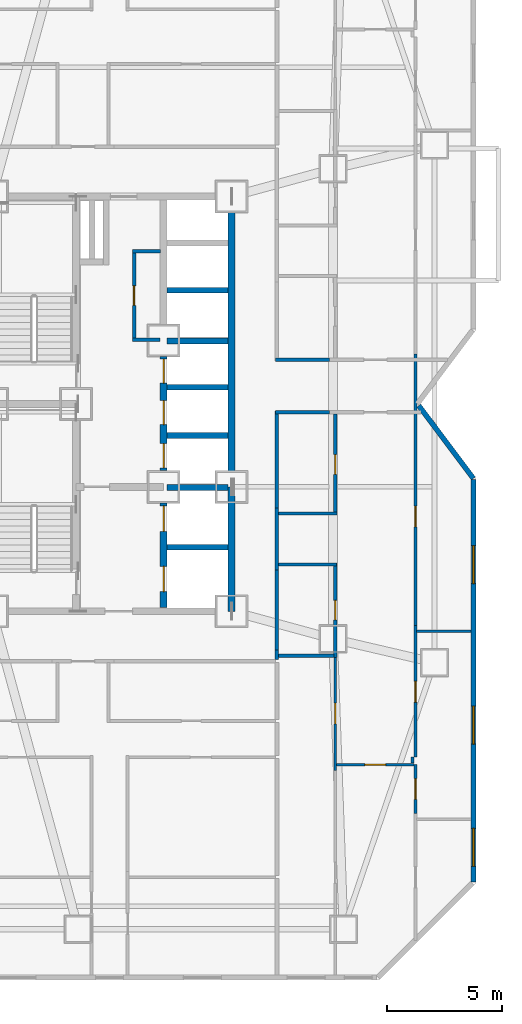
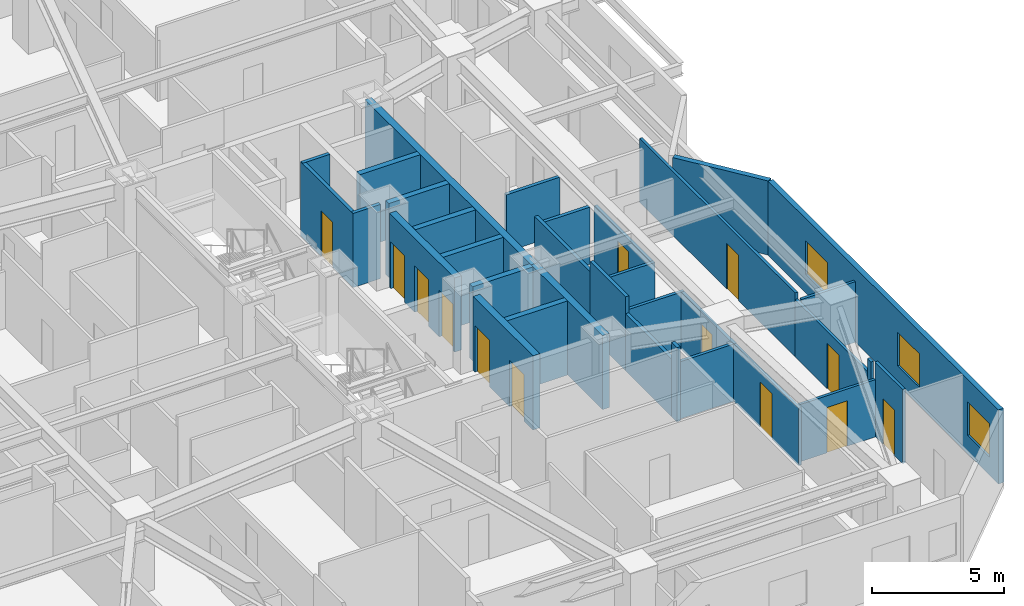
# One storey, part 10 of 14: 33 walls, 13 doors, 3 windows, 16 openings.
"""IFC4 building model written with IfcOpenShell, lengths in metres."""

from ifc_helpers import new_model, si_unit, direction, frame, frame_2d, origin, place, context, subcontext, project, spatial, rectangle, extrude, material, layer, layer_set, type_object, element, fill, save


model = new_model("IFC4")

# Units and contexts
model_context = context("Model", 3, precision=1e-05, world=origin(), true_north=direction((0.0, 1.0)))
body_context = subcontext(model_context, "Body", "Model", "MODEL_VIEW")
ifc_project = project(units=[si_unit("LENGTHUNIT", "METRE"), si_unit("AREAUNIT", "SQUARE_METRE"), si_unit("VOLUMEUNIT", "CUBIC_METRE"), si_unit("PLANEANGLEUNIT", "RADIAN"), si_unit("MASSUNIT", "GRAM", prefix="KILO")], contexts=[model_context])

# Site, building, storey
site_placement = place(None, origin())
site = spatial("IfcSite", under=ifc_project, at=site_placement, CompositionType="ELEMENT")
building_placement = place(site_placement, origin())
building = spatial("IfcBuilding", under=site, at=building_placement, Name="Khamvora Tower", CompositionType="ELEMENT")
storey_placement = place(building_placement, frame((0.0, 0.0, 40.60009765625)))
storey = spatial("IfcBuildingStorey", under=building, at=storey_placement, Name="L09", CompositionType="ELEMENT", Elevation=40.60009765625)

# Walls
ifc_material_1 = material(Name="Concrete C50/60", Category="concrete")
ifc_layer_1 = layer(ifc_material_1, 0.300048828125)
ifc_layer_set_1 = layer_set([ifc_layer_1], Name="Concrete C50/60")
wall_type_1 = type_object("IfcWallType", Name="WAL-CORE-300", PredefinedType="SHEAR", material=ifc_layer_set_1)
wall_1_placement = place(storey_placement, frame((39.39990234375, 19.0, 0.0), z_axis=(0.0, 0.0, 1.0), x_axis=(0.0, 1.0, 0.0)))
element("IfcWall", 1, at=wall_1_placement, inside=storey, type_object=wall_type_1, Name="L09 central core east south wall", PredefinedType="SHEAR", context=body_context, shape_type="SweptSolid", body=[
    extrude(rectangle(XDim=5.39990234375, YDim=0.300048828125, at=frame_2d((2.699951171875, 0.0))), origin(), (0.0, 0.0, 1.0), 3.429931640625),
])
wall_2_placement = place(storey_placement, frame((39.39990234375, 24.39990234375, 0.0), z_axis=(0.0, 0.0, 1.0), x_axis=(0.0, 1.0, 0.0)))
element("IfcWall", 2, at=wall_2_placement, inside=storey, type_object=wall_type_1, Name="L09 central core east north wall", PredefinedType="SHEAR", context=body_context, shape_type="SweptSolid", body=[
    extrude(rectangle(XDim=12.60009765625, YDim=0.300048828125, at=frame_2d((6.300048828125, 0.0))), origin(), (0.0, 0.0, 1.0), 3.429931640625),
])

# Wall, openings, doors
wall_3_placement = place(storey_placement, frame((36.449951171875, 19.154052734375, 0.0), z_axis=(0.0, 0.0, 1.0), x_axis=(0.0, 1.0, 0.0)))
wall_3 = element("IfcWall", 3, at=wall_3_placement, inside=storey, type_object=wall_type_1, Name="L09 central core lift bank south wall", PredefinedType="SHEAR", context=body_context, shape_type="SweptSolid", body=[
    extrude(rectangle(XDim=4.5458984375, YDim=0.300048828125, at=frame_2d((2.27294921875, 0.0))), origin(), (0.0, 0.0, 1.0), 3.429931640625),
])
opening_1_placement = place(wall_3_placement, frame((0.696044921875, 0.0, 0.0)))
opening_1 = element("IfcOpeningElement", 4, at=opening_1_placement, cuts=wall_3, Name="Opening LD-FFL", PredefinedType="OPENING", context=body_context, shape_type="SweptSolid", body=[
    extrude(rectangle(XDim=1.10009765625, YDim=2.14990234375, at=frame_2d((0.550048828125, 1.074951171875))), frame((0.0, 0.159912109375, 0.0), z_axis=(0.0, -1.0, 0.0), x_axis=(1.0, 0.0, 0.0)), (0.0, 0.0, 1.0), 0.320068359375),
])
opening_2_placement = place(wall_3_placement, frame((3.31591796875, 0.0, 0.0)))
opening_2 = element("IfcOpeningElement", 5, at=opening_2_placement, cuts=wall_3, Name="Opening LD-FFL", PredefinedType="OPENING", context=body_context, shape_type="SweptSolid", body=[
    extrude(rectangle(XDim=1.10009765625, YDim=2.14990234375, at=frame_2d((0.550048828125, 1.074951171875))), frame((0.0, 0.159912109375, 0.0), z_axis=(0.0, -1.0, 0.0), x_axis=(1.0, 0.0, 0.0)), (0.0, 0.0, 1.0), 0.320068359375),
])
ifc_material_2 = material(Name="Powder-Coated Steel and Hardwood Leaf", Category="steel")
door_type_1 = type_object("IfcDoorType", Name="DOR-LIFT-1100", OperationType="SLIDING_TO_LEFT", PredefinedType="DOOR", material=ifc_material_2)
door_1_placement = place(opening_1_placement, origin())
door_1 = element("IfcDoor", 6, at=door_1_placement, inside=storey, type_object=door_type_1, Name="L09 lift landing sliding door FFL-01", OperationType="SLIDING_TO_LEFT", OverallHeight=2.14990234375, OverallWidth=1.10009765625, PredefinedType="DOOR", context=body_context, shape_type="SweptSolid", body=[
    extrude(rectangle(XDim=1.10009765625, YDim=2.14990234375, at=frame_2d((0.550048828125, 1.074951171875))), frame((0.0, 0.02490234375, 0.0), z_axis=(0.0, -1.0, 0.0), x_axis=(1.0, 0.0, 0.0)), (0.0, 0.0, 1.0), 0.050048828125),
])
fill(opening_1, door_1)
door_2_placement = place(opening_2_placement, origin())
door_2 = element("IfcDoor", 7, at=door_2_placement, inside=storey, type_object=door_type_1, Name="L09 lift landing sliding door FFL-02", OperationType="SLIDING_TO_LEFT", OverallHeight=2.14990234375, OverallWidth=1.10009765625, PredefinedType="DOOR", context=body_context, shape_type="SweptSolid", body=[
    extrude(rectangle(XDim=1.10009765625, YDim=2.14990234375, at=frame_2d((0.550048828125, 1.074951171875))), frame((0.0, 0.02490234375, 0.0), z_axis=(0.0, -1.0, 0.0), x_axis=(1.0, 0.0, 0.0)), (0.0, 0.0, 1.0), 0.050048828125),
])
fill(opening_2, door_2)

wall_4_placement = place(storey_placement, frame((36.449951171875, 25.10009765625, 0.0), z_axis=(0.0, 0.0, 1.0), x_axis=(0.0, 1.0, 0.0)))
wall_4 = element("IfcWall", 8, at=wall_4_placement, inside=storey, type_object=wall_type_1, Name="L09 central core lift bank central wall", PredefinedType="SHEAR", context=body_context, shape_type="SweptSolid", body=[
    extrude(rectangle(XDim=4.949951171875, YDim=0.300048828125, at=frame_2d((2.47509765625, 0.0))), origin(), (0.0, 0.0, 1.0), 3.429931640625),
])
opening_3_placement = place(wall_4_placement, frame((0.1201171875, 0.0, 0.0)))
opening_3 = element("IfcOpeningElement", 9, at=opening_3_placement, cuts=wall_4, Name="Opening LD-PL", PredefinedType="OPENING", context=body_context, shape_type="SweptSolid", body=[
    extrude(rectangle(XDim=1.050048828125, YDim=2.14990234375, at=frame_2d((0.52490234375, 1.074951171875))), frame((0.0, 0.159912109375, 0.0), z_axis=(0.0, -1.0, 0.0), x_axis=(1.0, 0.0, 0.0)), (0.0, 0.0, 1.0), 0.320068359375),
])
opening_4_placement = place(wall_4_placement, frame((1.9951171875, 0.0, 0.0)))
opening_4 = element("IfcOpeningElement", 10, at=opening_4_placement, cuts=wall_4, Name="Opening LD-PL", PredefinedType="OPENING", context=body_context, shape_type="SweptSolid", body=[
    extrude(rectangle(XDim=1.050048828125, YDim=2.14990234375, at=frame_2d((0.52490234375, 1.074951171875))), frame((0.0, 0.159912109375, 0.0), z_axis=(0.0, -1.0, 0.0), x_axis=(1.0, 0.0, 0.0)), (0.0, 0.0, 1.0), 0.320068359375),
])
opening_5_placement = place(wall_4_placement, frame((3.794921875, 0.0, 0.0)))
opening_5 = element("IfcOpeningElement", 11, at=opening_5_placement, cuts=wall_4, Name="Opening LD-PL", PredefinedType="OPENING", context=body_context, shape_type="SweptSolid", body=[
    extrude(rectangle(XDim=1.050048828125, YDim=2.14990234375, at=frame_2d((0.52490234375, 1.074951171875))), frame((0.0, 0.159912109375, 0.0), z_axis=(0.0, -1.0, 0.0), x_axis=(1.0, 0.0, 0.0)), (0.0, 0.0, 1.0), 0.320068359375),
])
door_type_2 = type_object("IfcDoorType", Name="DOR-LIFT-1050", OperationType="SLIDING_TO_LEFT", PredefinedType="DOOR", material=ifc_material_2)
door_3_placement = place(opening_3_placement, origin())
door_3 = element("IfcDoor", 12, at=door_3_placement, inside=storey, type_object=door_type_2, Name="L09 lift landing sliding door PL-01", OperationType="SLIDING_TO_LEFT", OverallHeight=2.14990234375, OverallWidth=1.050048828125, PredefinedType="DOOR", context=body_context, shape_type="SweptSolid", body=[
    extrude(rectangle(XDim=1.050048828125, YDim=2.14990234375, at=frame_2d((0.52490234375, 1.074951171875))), frame((0.0, 0.02490234375, 0.0), z_axis=(0.0, -1.0, 0.0), x_axis=(1.0, 0.0, 0.0)), (0.0, 0.0, 1.0), 0.050048828125),
])
fill(opening_3, door_3)
door_4_placement = place(opening_4_placement, origin())
door_4 = element("IfcDoor", 13, at=door_4_placement, inside=storey, type_object=door_type_2, Name="L09 lift landing sliding door PL-02", OperationType="SLIDING_TO_LEFT", OverallHeight=2.14990234375, OverallWidth=1.050048828125, PredefinedType="DOOR", context=body_context, shape_type="SweptSolid", body=[
    extrude(rectangle(XDim=1.050048828125, YDim=2.14990234375, at=frame_2d((0.52490234375, 1.074951171875))), frame((0.0, 0.02490234375, 0.0), z_axis=(0.0, -1.0, 0.0), x_axis=(1.0, 0.0, 0.0)), (0.0, 0.0, 1.0), 0.050048828125),
])
fill(opening_4, door_4)
door_5_placement = place(opening_5_placement, origin())
door_5 = element("IfcDoor", 14, at=door_5_placement, inside=storey, type_object=door_type_2, Name="L09 lift landing sliding door PL-03", OperationType="SLIDING_TO_LEFT", OverallHeight=2.14990234375, OverallWidth=1.050048828125, PredefinedType="DOOR", context=body_context, shape_type="SweptSolid", body=[
    extrude(rectangle(XDim=1.050048828125, YDim=2.14990234375, at=frame_2d((0.52490234375, 1.074951171875))), frame((0.0, 0.02490234375, 0.0), z_axis=(0.0, -1.0, 0.0), x_axis=(1.0, 0.0, 0.0)), (0.0, 0.0, 1.0), 0.050048828125),
])
fill(opening_5, door_5)

# Wall
ifc_material_3 = material(Name="Fire-Rated Drywall and Steel Stud", Category="steel")
ifc_layer_2 = layer(ifc_material_3, 0.14990234375)
ifc_layer_set_2 = layer_set([ifc_layer_2], Name="Fire-Rated Drywall and Steel Stud")
wall_type_2 = type_object("IfcWallType", Name="WAL-CORR-150", PredefinedType="STANDARD", material=ifc_layer_set_2)
wall_5_placement = place(storey_placement, frame((36.305908203125, 34.614990234375, 0.0), z_axis=(0.0, 0.0, 1.0), x_axis=(-1.0, 0.0, 0.0)))
element("IfcWall", 15, at=wall_5_placement, inside=storey, type_object=wall_type_2, Name="L09 interior partition wall 001", PredefinedType="STANDARD", context=body_context, shape_type="SweptSolid", body=[
    extrude(rectangle(XDim=1.205810546875, YDim=0.14990234375, at=frame_2d((0.60302734375, 0.0))), origin(), (0.0, 0.0, 1.0), 3.429931640625),
])

# Wall, opening, door
wall_6_placement = place(storey_placement, frame((35.1650390625, 34.677978515625, 0.0), z_axis=(0.0, 0.0, 1.0), x_axis=(0.0, -1.0, 0.0)))
wall_6 = element("IfcWall", 16, at=wall_6_placement, inside=storey, type_object=wall_type_2, Name="L09 interior partition wall 002", PredefinedType="STANDARD", context=body_context, shape_type="SweptSolid", body=[
    extrude(rectangle(XDim=3.9580078125, YDim=0.14990234375, at=frame_2d((1.97900390625, 0.0))), origin(), (0.0, 0.0, 1.0), 3.429931640625),
])
opening_6_placement = place(wall_6_placement, frame((1.553955078125, 0.0, 0.0)))
opening_6 = element("IfcOpeningElement", 17, at=opening_6_placement, cuts=wall_6, Name="Opening D-WC1", PredefinedType="OPENING", context=body_context, shape_type="SweptSolid", body=[
    extrude(rectangle(XDim=0.85009765625, YDim=2.10009765625, at=frame_2d((0.425048828125, 1.050048828125))), frame((0.0, 0.0849609375, 0.0), z_axis=(0.0, -1.0, 0.0), x_axis=(1.0, 0.0, 0.0)), (0.0, 0.0, 1.0), 0.169921875),
])
door_type_3 = type_object("IfcDoorType", Name="DOR-WET-850", OperationType="NOTDEFINED", PredefinedType="DOOR", material=ifc_material_2)
door_6_placement = place(opening_6_placement, origin())
door_6 = element("IfcDoor", 18, at=door_6_placement, inside=storey, type_object=door_type_3, Name="L09 interior door PLL-CS1", OperationType="SINGLE_SWING_LEFT", OverallHeight=2.10009765625, OverallWidth=0.85009765625, PredefinedType="DOOR", context=body_context, shape_type="SweptSolid", body=[
    extrude(rectangle(XDim=0.85009765625, YDim=2.10009765625, at=frame_2d((0.425048828125, 1.050048828125))), frame((0.0, 0.02490234375, 0.0), z_axis=(0.0, -1.0, 0.0), x_axis=(1.0, 0.0, 0.0)), (0.0, 0.0, 1.0), 0.050048828125),
])
fill(opening_6, door_6)

# Walls
wall_7_placement = place(storey_placement, frame((35.10205078125, 30.784912109375, 0.0), z_axis=(0.0, 0.0, 1.0), x_axis=(1.0, 0.0, 0.0)))
element("IfcWall", 19, at=wall_7_placement, inside=storey, type_object=wall_type_2, Name="L09 interior partition wall 003", PredefinedType="STANDARD", context=body_context, shape_type="SweptSolid", body=[
    extrude(rectangle(XDim=1.197998046875, YDim=0.14990234375, at=frame_2d((0.59912109375, 0.0))), origin(), (0.0, 0.0, 1.0), 3.429931640625),
])
wall_8_placement = place(storey_placement, frame((41.364990234375, 17.318115234375, 0.0), z_axis=(0.0, 0.0, 1.0), x_axis=(0.0, -1.0, 0.0)))
element("IfcWall", 20, at=wall_8_placement, inside=storey, type_object=wall_type_2, Name="L09 interior partition wall 028", PredefinedType="STANDARD", context=body_context, shape_type="SweptSolid", body=[
    extrude(rectangle(XDim=0.418212890625, YDim=0.14990234375, at=frame_2d((0.208984375, 0.0))), origin(), (0.0, 0.0, 1.0), 3.429931640625),
])
wall_9_placement = place(storey_placement, frame((41.364990234375, 23.48291015625, 0.0), z_axis=(0.0, 0.0, 1.0), x_axis=(0.0, -1.0, 0.0)))
element("IfcWall", 21, at=wall_9_placement, inside=storey, type_object=wall_type_2, Name="L09 interior partition wall 030", PredefinedType="STANDARD", context=body_context, shape_type="SweptSolid", body=[
    extrude(rectangle(XDim=2.697998046875, YDim=0.14990234375, at=frame_2d((1.34912109375, 0.0))), origin(), (0.0, 0.0, 1.0), 3.429931640625),
])
wall_10_placement = place(storey_placement, frame((41.364990234375, 20.784912109375, 0.0), z_axis=(0.0, 0.0, 1.0), x_axis=(0.0, -1.0, 0.0)))
element("IfcWall", 22, at=wall_10_placement, inside=storey, type_object=wall_type_2, Name="L09 interior partition wall 031", PredefinedType="STANDARD", context=body_context, shape_type="SweptSolid", body=[
    extrude(rectangle(XDim=3.466796875, YDim=0.14990234375, at=frame_2d((1.7333984375, 0.0))), origin(), (0.0, 0.0, 1.0), 2.64697265625),
])
wall_11_placement = place(storey_placement, frame((43.64599609375, 27.635009765625, 0.0), z_axis=(0.0, 0.0, 1.0), x_axis=(-1.0, 0.0, 0.0)))
element("IfcWall", 23, at=wall_11_placement, inside=storey, type_object=wall_type_2, Name="L09 interior partition wall 032", PredefinedType="STANDARD", context=body_context, shape_type="SweptSolid", body=[
    extrude(rectangle(XDim=2.345947265625, YDim=0.14990234375, at=frame_2d((1.1728515625, 0.0))), origin(), (0.0, 0.0, 1.0), 2.64697265625),
])
wall_12_placement = place(storey_placement, frame((41.364990234375, 27.697998046875, 0.0), z_axis=(0.0, 0.0, 1.0), x_axis=(0.0, -1.0, 0.0)))
element("IfcWall", 24, at=wall_12_placement, inside=storey, type_object=wall_type_2, Name="L09 interior partition wall 033", PredefinedType="STANDARD", context=body_context, shape_type="SweptSolid", body=[
    extrude(rectangle(XDim=4.215087890625, YDim=0.14990234375, at=frame_2d((2.107421875, 0.0))), origin(), (0.0, 0.0, 1.0), 2.956787109375),
])
wall_13_placement = place(storey_placement, frame((41.300048828125, 29.9150390625, 0.0), z_axis=(0.0, 0.0, 1.0), x_axis=(1.0, 0.0, 0.0)))
element("IfcWall", 25, at=wall_13_placement, inside=storey, type_object=wall_type_2, Name="L09 interior partition wall 037", PredefinedType="STANDARD", context=body_context, shape_type="SweptSolid", body=[
    extrude(rectangle(XDim=2.345947265625, YDim=0.14990234375, at=frame_2d((1.1728515625, 0.0))), origin(), (0.0, 0.0, 1.0), 2.64697265625),
])
ifc_material_4 = material(Name="Precast concrete C40/50", Category="concrete")
ifc_layer_3 = layer(ifc_material_4, 0.219970703125)
ifc_layer_set_3 = layer_set([ifc_layer_3], Name="Precast concrete C40/50")
wall_type_3 = type_object("IfcWallType", Name="WAL-EXT-220", PredefinedType="STANDARD", material=ifc_layer_set_3)
wall_14_placement = place(storey_placement, frame((47.51904296875, 27.923095703125, 0.0), z_axis=(0.0, 0.0, 1.0), x_axis=(0.600118645218, -0.799911002338, 0.0)))
element("IfcWall", 26, at=wall_14_placement, inside=storey, type_object=wall_type_3, Name="L09 exterior facade wall 11.1", PredefinedType="STANDARD", context=body_context, shape_type="SweptSolid", body=[
    extrude(rectangle(XDim=3.95068359375, YDim=0.219970703125, at=frame_2d((1.975341796875, 0.0))), origin(), (0.0, 0.0, 1.0), 3.429931640625),
])

# Wall, openings, windows
wall_15_placement = place(storey_placement, frame((49.889892578125, 24.70703125, 0.0), z_axis=(0.0, 0.0, 1.0), x_axis=(0.0, -1.0, 0.0)))
wall_15 = element("IfcWall", 27, at=wall_15_placement, inside=storey, type_object=wall_type_3, Name="L09 exterior facade wall 12.1", PredefinedType="STANDARD", context=body_context, shape_type="SweptSolid", body=[
    extrude(rectangle(XDim=17.4609375, YDim=0.219970703125, at=frame_2d((8.73046875, 0.0))), origin(), (0.0, 0.0, 1.0), 3.429931640625),
])
opening_7_placement = place(wall_15_placement, frame((15.126953125, 0.0, 0.85009765625)))
opening_7 = element("IfcOpeningElement", 28, at=opening_7_placement, cuts=wall_15, Name="Opening WN-06", PredefinedType="OPENING", context=body_context, shape_type="SweptSolid", body=[
    extrude(rectangle(XDim=1.64990234375, YDim=1.550048828125, at=frame_2d((0.824951171875, 0.77490234375))), frame((0.0, 0.119873046875, 0.0), z_axis=(0.0, -1.0, 0.0), x_axis=(1.0, 0.0, 0.0)), (0.0, 0.0, 1.0), 0.239990234375),
])
opening_8_placement = place(wall_15_placement, frame((9.825927734375, 0.0, 0.85009765625)))
opening_8 = element("IfcOpeningElement", 29, at=opening_8_placement, cuts=wall_15, Name="Opening WN-06", PredefinedType="OPENING", context=body_context, shape_type="SweptSolid", body=[
    extrude(rectangle(XDim=1.64990234375, YDim=1.550048828125, at=frame_2d((0.824951171875, 0.77490234375))), frame((0.0, 0.119873046875, 0.0), z_axis=(0.0, -1.0, 0.0), x_axis=(1.0, 0.0, 0.0)), (0.0, 0.0, 1.0), 0.239990234375),
])
opening_9_placement = place(wall_15_placement, frame((2.85498046875, 0.0, 0.85009765625)))
opening_9 = element("IfcOpeningElement", 30, at=opening_9_placement, cuts=wall_15, Name="Opening WN-06", PredefinedType="OPENING", context=body_context, shape_type="SweptSolid", body=[
    extrude(rectangle(XDim=1.64990234375, YDim=1.550048828125, at=frame_2d((0.824951171875, 0.77490234375))), frame((0.0, 0.119873046875, 0.0), z_axis=(0.0, -1.0, 0.0), x_axis=(1.0, 0.0, 0.0)), (0.0, 0.0, 1.0), 0.239990234375),
])
ifc_material_5 = material(Name="Low-E Laminated Double Glazing", Category="glass")
window_type = type_object("IfcWindowType", Name="WIN-VIS-1650x1550", PartitioningType="SINGLE_PANEL", PredefinedType="WINDOW", material=ifc_material_5)
window_1_placement = place(opening_7_placement, origin())
window_1 = element("IfcWindow", 31, at=window_1_placement, inside=storey, type_object=window_type, Name="L09 vision window 12.1.01", OverallHeight=1.550048828125, OverallWidth=1.64990234375, PartitioningType="SINGLE_PANEL", PredefinedType="WINDOW", context=body_context, shape_type="SweptSolid", body=[
    extrude(rectangle(XDim=1.64990234375, YDim=1.550048828125, at=frame_2d((0.824951171875, 0.77490234375))), frame((0.0, 0.030029296875, 0.0), z_axis=(0.0, -1.0, 0.0), x_axis=(1.0, 0.0, 0.0)), (0.0, 0.0, 1.0), 0.06005859375),
])
fill(opening_7, window_1)
window_2_placement = place(opening_8_placement, origin())
window_2 = element("IfcWindow", 32, at=window_2_placement, inside=storey, type_object=window_type, Name="L09 vision window 12.1.02", OverallHeight=1.550048828125, OverallWidth=1.64990234375, PartitioningType="SINGLE_PANEL", PredefinedType="WINDOW", context=body_context, shape_type="SweptSolid", body=[
    extrude(rectangle(XDim=1.64990234375, YDim=1.550048828125, at=frame_2d((0.824951171875, 0.77490234375))), frame((0.0, 0.030029296875, 0.0), z_axis=(0.0, -1.0, 0.0), x_axis=(1.0, 0.0, 0.0)), (0.0, 0.0, 1.0), 0.06005859375),
])
fill(opening_8, window_2)
window_3_placement = place(opening_9_placement, origin())
window_3 = element("IfcWindow", 33, at=window_3_placement, inside=storey, type_object=window_type, Name="L09 vision window 12.1.03", OverallHeight=1.550048828125, OverallWidth=1.64990234375, PartitioningType="SINGLE_PANEL", PredefinedType="WINDOW", context=body_context, shape_type="SweptSolid", body=[
    extrude(rectangle(XDim=1.64990234375, YDim=1.550048828125, at=frame_2d((0.824951171875, 0.77490234375))), frame((0.0, 0.030029296875, 0.0), z_axis=(0.0, -1.0, 0.0), x_axis=(1.0, 0.0, 0.0)), (0.0, 0.0, 1.0), 0.06005859375),
])
fill(opening_9, window_3)

# Wall, opening, door
ifc_material_6 = material(Name="Gypsum Plasterboard Partition", Category="gypsum")
ifc_layer_4 = layer(ifc_material_6, 0.1201171875)
ifc_layer_set_4 = layer_set([ifc_layer_4], Name="Gypsum Plasterboard Partition")
wall_type_4 = type_object("IfcWallType", Name="WAL-PART-120", PredefinedType="PARTITIONING", material=ifc_layer_set_4)
wall_16_placement = place(storey_placement, frame((43.89501953125, 17.00390625, 0.0), z_axis=(0.0, 0.0, 1.0), x_axis=(0.0, -1.0, 0.0)))
wall_16 = element("IfcWall", 34, at=wall_16_placement, inside=storey, type_object=wall_type_4, Name="L09 interior partition wall 134", PredefinedType="PARTITIONING", context=body_context, shape_type="SweptSolid", body=[
    extrude(rectangle(XDim=4.912841796875, YDim=0.1201171875, at=frame_2d((2.45654296875, 0.0))), origin(), (0.0, 0.0, 1.0), 2.64697265625),
])
opening_10_placement = place(wall_16_placement, frame((1.986083984375, 0.0, 0.0)))
opening_10 = element("IfcOpeningElement", 35, at=opening_10_placement, cuts=wall_16, Name="Opening D-RM1", PredefinedType="OPENING", context=body_context, shape_type="SweptSolid", body=[
    extrude(rectangle(XDim=0.89990234375, YDim=2.10009765625, at=frame_2d((0.449951171875, 1.050048828125))), frame((0.0, 0.070068359375, 0.0), z_axis=(0.0, -1.0, 0.0), x_axis=(1.0, 0.0, 0.0)), (0.0, 0.0, 1.0), 0.14013671875),
])
door_type_4 = type_object("IfcDoorType", Name="DOR-ROOM-900", OperationType="NOTDEFINED", PredefinedType="DOOR", material=ifc_material_2)
door_7_placement = place(opening_10_placement, origin())
door_7 = element("IfcDoor", 36, at=door_7_placement, inside=storey, type_object=door_type_4, Name="L09 interior door 09EAW1-09EAH", OperationType="SINGLE_SWING_RIGHT", OverallHeight=2.10009765625, OverallWidth=0.89990234375, PredefinedType="DOOR", context=body_context, shape_type="SweptSolid", body=[
    extrude(rectangle(XDim=0.89990234375, YDim=2.10009765625, at=frame_2d((0.449951171875, 1.050048828125))), frame((0.0, 0.02490234375, 0.0), z_axis=(0.0, -1.0, 0.0), x_axis=(1.0, 0.0, 0.0)), (0.0, 0.0, 1.0), 0.050048828125),
])
fill(opening_10, door_7)

wall_17_placement = place(storey_placement, frame((47.31005859375, 12.340087890625, 0.0), z_axis=(0.0, 0.0, 1.0), x_axis=(-1.0, 0.0, 0.0)))
wall_17 = element("IfcWall", 37, at=wall_17_placement, inside=storey, type_object=wall_type_4, Name="L09 interior partition wall 137", PredefinedType="PARTITIONING", context=body_context, shape_type="SweptSolid", body=[
    extrude(rectangle(XDim=3.361083984375, YDim=0.1201171875, at=frame_2d((1.6806640625, 0.0))), origin(), (0.0, 0.0, 1.0), 2.64697265625),
])
opening_11_placement = place(wall_17_placement, frame((1.23095703125, 0.0, 0.0)))
opening_11 = element("IfcOpeningElement", 38, at=opening_11_placement, cuts=wall_17, Name="Opening D-RM1", PredefinedType="OPENING", context=body_context, shape_type="SweptSolid", body=[
    extrude(rectangle(XDim=0.89990234375, YDim=2.10009765625, at=frame_2d((0.449951171875, 1.050048828125))), frame((0.0, 0.070068359375, 0.0), z_axis=(0.0, -1.0, 0.0), x_axis=(1.0, 0.0, 0.0)), (0.0, 0.0, 1.0), 0.14013671875),
])
door_8_placement = place(opening_11_placement, origin())
door_8 = element("IfcDoor", 39, at=door_8_placement, inside=storey, type_object=door_type_4, Name="L09 interior door 09EAH-09EAD", OperationType="SINGLE_SWING_RIGHT", OverallHeight=2.10009765625, OverallWidth=0.89990234375, PredefinedType="DOOR", context=body_context, shape_type="SweptSolid", body=[
    extrude(rectangle(XDim=0.89990234375, YDim=2.10009765625, at=frame_2d((0.449951171875, 1.050048828125))), frame((0.0, 0.02490234375, 0.0), z_axis=(0.0, -1.0, 0.0), x_axis=(1.0, 0.0, 0.0)), (0.0, 0.0, 1.0), 0.050048828125),
])
fill(opening_11, door_8)

# Wall
wall_18_placement = place(storey_placement, frame((47.2451171875, 12.679931640625, 0.0), z_axis=(0.0, 0.0, 1.0), x_axis=(0.0, -1.0, 0.0)))
element("IfcWall", 40, at=wall_18_placement, inside=storey, type_object=wall_type_4, Name="L09 interior partition wall 138", PredefinedType="PARTITIONING", context=body_context, shape_type="SweptSolid", body=[
    extrude(rectangle(XDim=0.27490234375, YDim=0.1201171875, at=frame_2d((0.137451171875, 0.0))), origin(), (0.0, 0.0, 1.0), 3.429931640625),
])

# Wall, opening, door
wall_19_placement = place(storey_placement, frame((47.375, 18.381103515625, 0.0), z_axis=(0.0, 0.0, 1.0), x_axis=(0.0, -1.0, 0.0)))
wall_19 = element("IfcWall", 41, at=wall_19_placement, inside=storey, type_object=wall_type_4, Name="L09 interior partition wall 143", PredefinedType="PARTITIONING", context=body_context, shape_type="SweptSolid", body=[
    extrude(rectangle(XDim=5.701171875, YDim=0.1201171875, at=frame_2d((2.8505859375, 0.0))), origin(), (0.0, 0.0, 1.0), 2.64697265625),
])
opening_12_placement = place(wall_19_placement, frame((2.4208984375, 0.0, 0.0)))
opening_12 = element("IfcOpeningElement", 42, at=opening_12_placement, cuts=wall_19, Name="Opening D-RM1", PredefinedType="OPENING", context=body_context, shape_type="SweptSolid", body=[
    extrude(rectangle(XDim=0.89990234375, YDim=2.10009765625, at=frame_2d((0.449951171875, 1.050048828125))), frame((0.0, 0.070068359375, 0.0), z_axis=(0.0, -1.0, 0.0), x_axis=(1.0, 0.0, 0.0)), (0.0, 0.0, 1.0), 0.14013671875),
])
door_9_placement = place(opening_12_placement, origin())
door_9 = element("IfcDoor", 43, at=door_9_placement, inside=storey, type_object=door_type_4, Name="L09 interior door 09EAH-09EAR2", OperationType="SINGLE_SWING_RIGHT", OverallHeight=2.10009765625, OverallWidth=0.89990234375, PredefinedType="DOOR", context=body_context, shape_type="SweptSolid", body=[
    extrude(rectangle(XDim=0.89990234375, YDim=2.10009765625, at=frame_2d((0.449951171875, 1.050048828125))), frame((0.0, 0.02490234375, 0.0), z_axis=(0.0, -1.0, 0.0), x_axis=(1.0, 0.0, 0.0)), (0.0, 0.0, 1.0), 0.050048828125),
])
fill(opening_12, door_9)

wall_20_placement = place(storey_placement, frame((47.375, 30.169921875, 0.0), z_axis=(0.0, 0.0, 1.0), x_axis=(0.0, -1.0, 0.0)))
wall_20 = element("IfcWall", 44, at=wall_20_placement, inside=storey, type_object=wall_type_4, Name="L09 interior partition wall 144", PredefinedType="PARTITIONING", context=body_context, shape_type="SweptSolid", body=[
    extrude(rectangle(XDim=11.788818359375, YDim=0.1201171875, at=frame_2d((5.89453125, 0.0))), origin(), (0.0, 0.0, 1.0), 2.956787109375),
])
opening_13_placement = place(wall_20_placement, frame((6.60791015625, 0.0, 0.0)))
opening_13 = element("IfcOpeningElement", 45, at=opening_13_placement, cuts=wall_20, Name="Opening D-RM1", PredefinedType="OPENING", context=body_context, shape_type="SweptSolid", body=[
    extrude(rectangle(XDim=0.89990234375, YDim=2.10009765625, at=frame_2d((0.449951171875, 1.050048828125))), frame((0.0, 0.070068359375, 0.0), z_axis=(0.0, -1.0, 0.0), x_axis=(1.0, 0.0, 0.0)), (0.0, 0.0, 1.0), 0.14013671875),
])
door_10_placement = place(opening_13_placement, origin())
door_10 = element("IfcDoor", 46, at=door_10_placement, inside=storey, type_object=door_type_4, Name="L09 interior door 09EAH-09EAR3", OperationType="SINGLE_SWING_RIGHT", OverallHeight=2.10009765625, OverallWidth=0.89990234375, PredefinedType="DOOR", context=body_context, shape_type="SweptSolid", body=[
    extrude(rectangle(XDim=0.89990234375, YDim=2.10009765625, at=frame_2d((0.449951171875, 1.050048828125))), frame((0.0, 0.02490234375, 0.0), z_axis=(0.0, -1.0, 0.0), x_axis=(1.0, 0.0, 0.0)), (0.0, 0.0, 1.0), 0.050048828125),
])
fill(opening_13, door_10)

wall_21_placement = place(storey_placement, frame((47.375, 12.340087890625, 0.0), z_axis=(0.0, 0.0, 1.0), x_axis=(0.0, -1.0, 0.0)))
wall_21 = element("IfcWall", 47, at=wall_21_placement, inside=storey, type_object=wall_type_4, Name="L09 interior partition wall 146", PredefinedType="PARTITIONING", context=body_context, shape_type="SweptSolid", body=[
    extrude(rectangle(XDim=2.112060546875, YDim=0.1201171875, at=frame_2d((1.05615234375, 0.0))), origin(), (0.0, 0.0, 1.0), 3.429931640625),
])
opening_14_placement = place(wall_21_placement, frame((0.60595703125, 0.0, 0.0)))
opening_14 = element("IfcOpeningElement", 48, at=opening_14_placement, cuts=wall_21, Name="Opening D-RM1", PredefinedType="OPENING", context=body_context, shape_type="SweptSolid", body=[
    extrude(rectangle(XDim=0.89990234375, YDim=2.10009765625, at=frame_2d((0.449951171875, 1.050048828125))), frame((0.0, 0.070068359375, 0.0), z_axis=(0.0, -1.0, 0.0), x_axis=(1.0, 0.0, 0.0)), (0.0, 0.0, 1.0), 0.14013671875),
])
door_11_placement = place(opening_14_placement, origin())
door_11 = element("IfcDoor", 49, at=door_11_placement, inside=storey, type_object=door_type_4, Name="L09 interior door 09EAD-09EAR2", OperationType="SINGLE_SWING_RIGHT", OverallHeight=2.10009765625, OverallWidth=0.89990234375, PredefinedType="DOOR", context=body_context, shape_type="SweptSolid", body=[
    extrude(rectangle(XDim=0.89990234375, YDim=2.10009765625, at=frame_2d((0.449951171875, 1.050048828125))), frame((0.0, 0.02490234375, 0.0), z_axis=(0.0, -1.0, 0.0), x_axis=(1.0, 0.0, 0.0)), (0.0, 0.0, 1.0), 0.050048828125),
])
fill(opening_14, door_11)

# Walls
wall_22_placement = place(storey_placement, frame((47.428955078125, 18.132080078125, 0.0), z_axis=(0.0, 0.0, 1.0), x_axis=(1.0, 0.0, 0.0)))
element("IfcWall", 50, at=wall_22_placement, inside=storey, type_object=wall_type_4, Name="L09 interior partition wall 148", PredefinedType="PARTITIONING", context=body_context, shape_type="SweptSolid", body=[
    extrude(rectangle(XDim=2.359130859375, YDim=0.1201171875, at=frame_2d((1.1796875, 0.0))), origin(), (0.0, 0.0, 1.0), 2.802978515625),
])
ifc_material_7 = material(Name="Concrete C40/50", Category="concrete")
ifc_layer_5 = layer(ifc_material_7, 0.25)
ifc_layer_set_5 = layer_set([ifc_layer_5], Name="Concrete C40/50")
wall_type_5 = type_object("IfcWallType", Name="WAL-PODS-250", PredefinedType="SHEAR", material=ifc_layer_set_5)
for number, where, z_axis, x_axis, name in (
    (51, (36.60400390625, 21.77490234375, 0.0), (0.0, 0.0, 1.0), (1.0, 0.0, 0.0), "L09 lift shaft divider wall FFL-01"),
    (52, (36.60400390625, 24.375, 0.0), (0.0, 0.0, 1.0), (1.0, 0.0, 0.0), "L09 lift shaft divider wall FFL-02"),
    (53, (36.60400390625, 26.625, 0.0), (0.0, 0.0, 1.0), (1.0, 0.0, 0.0), "L09 lift shaft divider wall PL-01"),
    (54, (36.60400390625, 28.72509765625, 0.0), (0.0, 0.0, 1.0), (1.0, 0.0, 0.0), "L09 lift shaft divider wall PL-02"),
    (55, (36.60400390625, 30.72509765625, 0.0), (0.0, 0.0, 1.0), (1.0, 0.0, 0.0), "L09 lift shaft divider wall PL-03"),
    (56, (36.60400390625, 32.925048828125, 0.0), (0.0, 0.0, 1.0), (1.0, 0.0, 0.0), "L09 lift shaft divider wall PH-01"),
):
    element("IfcWall", number, at=place(storey_placement, frame(where, z_axis=z_axis, x_axis=x_axis)), inside=storey, type_object=wall_type_5, Name=name, PredefinedType="SHEAR", context=body_context, shape_type="SweptSolid", body=[
        extrude(rectangle(XDim=2.64208984375, YDim=0.25, at=frame_2d((1.321044921875, 0.0))), origin(), (0.0, 0.0, 1.0), 3.429931640625),
    ])
ifc_material_8 = material(Name="Moisture-Resistant Plasterboard Partition", Category="gypsum")
ifc_layer_6 = layer(ifc_material_8, 0.135009765625)
ifc_layer_set_6 = layer_set([ifc_layer_6], Name="Moisture-Resistant Plasterboard Partition")
wall_type_6 = type_object("IfcWallType", Name="WAL-WET-135", PredefinedType="PARTITIONING", material=ifc_layer_set_6)
wall_23_placement = place(storey_placement, frame((41.431884765625, 17.069091796875, 0.0), z_axis=(0.0, 0.0, 1.0), x_axis=(1.0, 0.0, 0.0)))
element("IfcWall", 57, at=wall_23_placement, inside=storey, type_object=wall_type_6, Name="L09 interior partition wall 136", PredefinedType="PARTITIONING", context=body_context, shape_type="SweptSolid", body=[
    extrude(rectangle(XDim=2.398193359375, YDim=0.135009765625, at=frame_2d((1.19921875, 0.0))), origin(), (0.0, 0.0, 1.0), 2.64697265625),
])

# Wall, opening, door
wall_24_placement = place(storey_placement, frame((43.89501953125, 17.00390625, 0.0), z_axis=(0.0, 0.0, 1.0), x_axis=(0.0, 1.0, 0.0)))
wall_24 = element("IfcWall", 58, at=wall_24_placement, inside=storey, type_object=wall_type_6, Name="L09 interior partition wall 139", PredefinedType="PARTITIONING", context=body_context, shape_type="SweptSolid", body=[
    extrude(rectangle(XDim=4.09521484375, YDim=0.135009765625, at=frame_2d((2.047607421875, 0.0))), origin(), (0.0, 0.0, 1.0), 2.64697265625),
])
opening_15_placement = place(wall_24_placement, frame((1.6220703125, 0.0, 0.0)))
opening_15 = element("IfcOpeningElement", 59, at=opening_15_placement, cuts=wall_24, Name="Opening D-WC1", PredefinedType="OPENING", context=body_context, shape_type="SweptSolid", body=[
    extrude(rectangle(XDim=0.85009765625, YDim=2.10009765625, at=frame_2d((0.425048828125, 1.050048828125))), frame((0.0, 0.077392578125, 0.0), z_axis=(0.0, -1.0, 0.0), x_axis=(1.0, 0.0, 0.0)), (0.0, 0.0, 1.0), 0.155029296875),
])
door_12_placement = place(opening_15_placement, origin())
door_12 = element("IfcDoor", 60, at=door_12_placement, inside=storey, type_object=door_type_3, Name="L09 interior door 09EAH-09EAB", OperationType="SINGLE_SWING_RIGHT", OverallHeight=2.10009765625, OverallWidth=0.85009765625, PredefinedType="DOOR", context=body_context, shape_type="SweptSolid", body=[
    extrude(rectangle(XDim=0.85009765625, YDim=2.10009765625, at=frame_2d((0.425048828125, 1.050048828125))), frame((0.0, 0.02490234375, 0.0), z_axis=(0.0, -1.0, 0.0), x_axis=(1.0, 0.0, 0.0)), (0.0, 0.0, 1.0), 0.050048828125),
])
fill(opening_15, door_12)

# Walls
for number, where, z_axis, x_axis, name in (
    (61, (43.9599609375, 21.033935546875, 0.0), (0.0, 0.0, 1.0), (-1.0, 0.0, 0.0), "L09 interior partition wall 140"),
    (62, (41.431884765625, 23.23388671875, 0.0), (0.0, 0.0, 1.0), (1.0, 0.0, 0.0), "L09 interior partition wall 141"),
):
    element("IfcWall", number, at=place(storey_placement, frame(where, z_axis=z_axis, x_axis=x_axis)), inside=storey, type_object=wall_type_6, Name=name, PredefinedType="PARTITIONING", context=body_context, shape_type="SweptSolid", body=[
        extrude(rectangle(XDim=2.528076171875, YDim=0.135009765625, at=frame_2d((1.26416015625, 0.0))), origin(), (0.0, 0.0, 1.0), 2.64697265625),
    ])

# Wall, opening, door
wall_25_placement = place(storey_placement, frame((43.89501953125, 23.1689453125, 0.0), z_axis=(0.0, 0.0, 1.0), x_axis=(0.0, 1.0, 0.0)))
wall_25 = element("IfcWall", 63, at=wall_25_placement, inside=storey, type_object=wall_type_6, Name="L09 interior partition wall 142", PredefinedType="PARTITIONING", context=body_context, shape_type="SweptSolid", body=[
    extrude(rectangle(XDim=4.401123046875, YDim=0.135009765625, at=frame_2d((2.20068359375, 0.0))), origin(), (0.0, 0.0, 1.0), 2.64697265625),
])
opening_16_placement = place(wall_25_placement, frame((1.77490234375, 0.0, 0.0)))
opening_16 = element("IfcOpeningElement", 64, at=opening_16_placement, cuts=wall_25, Name="Opening D-RM2", PredefinedType="OPENING", context=body_context, shape_type="SweptSolid", body=[
    extrude(rectangle(XDim=0.85009765625, YDim=2.10009765625, at=frame_2d((0.425048828125, 1.050048828125))), frame((0.0, 0.077392578125, 0.0), z_axis=(0.0, -1.0, 0.0), x_axis=(1.0, 0.0, 0.0)), (0.0, 0.0, 1.0), 0.155029296875),
])
door_type_5 = type_object("IfcDoorType", Name="DOR-ROOM-850", OperationType="NOTDEFINED", PredefinedType="DOOR", material=ifc_material_2)
door_13_placement = place(opening_16_placement, origin())
door_13 = element("IfcDoor", 65, at=door_13_placement, inside=storey, type_object=door_type_5, Name="L09 interior door 09EAH-09EAK", OperationType="SINGLE_SWING_RIGHT", OverallHeight=2.10009765625, OverallWidth=0.85009765625, PredefinedType="DOOR", context=body_context, shape_type="SweptSolid", body=[
    extrude(rectangle(XDim=0.85009765625, YDim=2.10009765625, at=frame_2d((0.425048828125, 1.050048828125))), frame((0.0, 0.02490234375, 0.0), z_axis=(0.0, -1.0, 0.0), x_axis=(1.0, 0.0, 0.0)), (0.0, 0.0, 1.0), 0.050048828125),
])
fill(opening_16, door_13)

save(model, "model.ifc")
